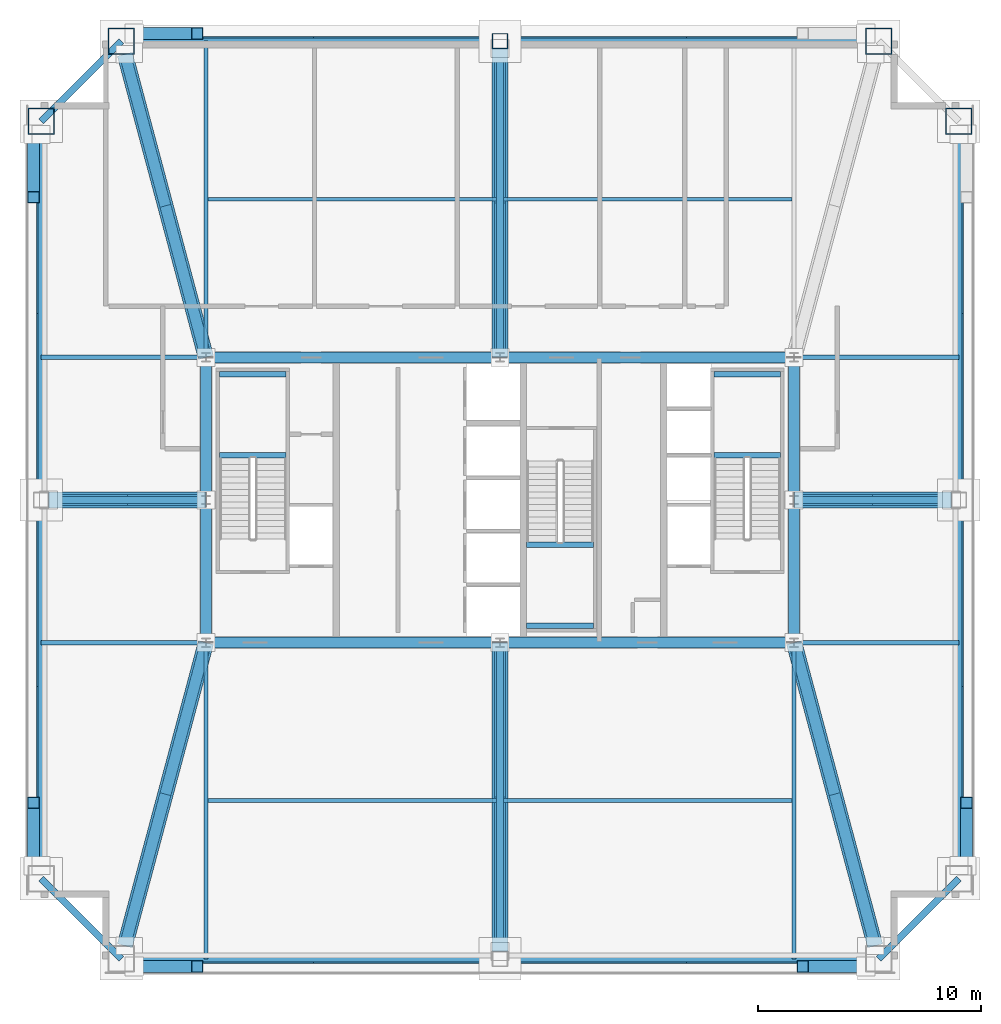
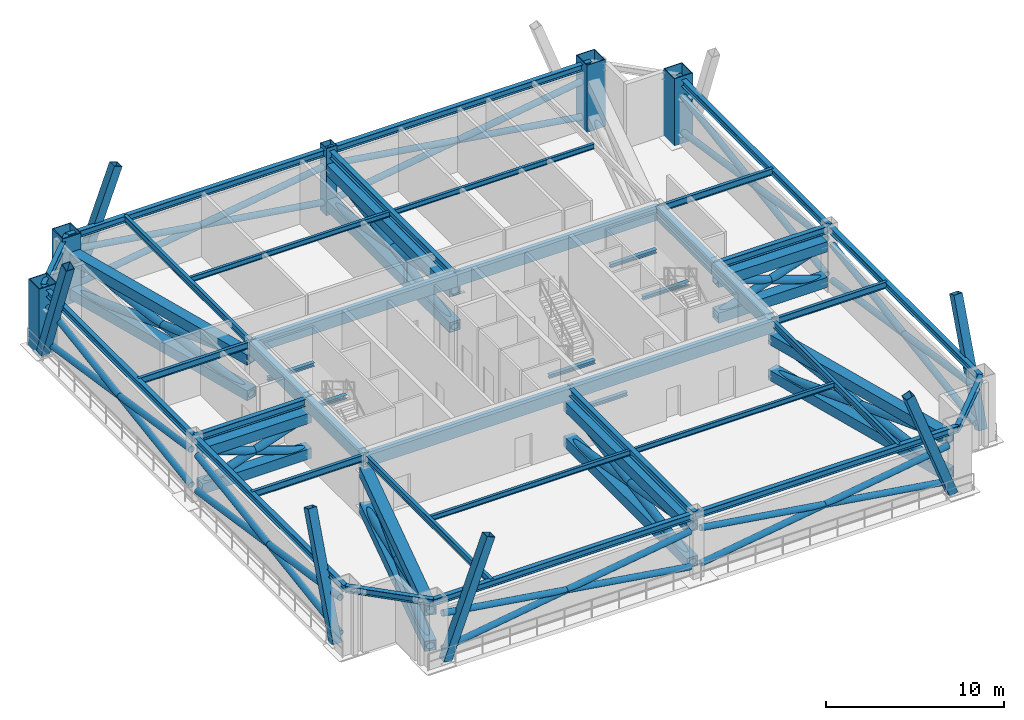
# One storey, part 2 of 9: 50 members, 40 beams, 5 columns.
"""IFC4 building model written with IfcOpenShell, lengths in metres."""

import ifcopenshell
import ifcopenshell.guid

model = None  # the IFC model being written
_history = None  # IfcOwnerHistory: only IFC2X3 demands one
_inside = {}  # id of a spatial element -> (the spatial element, [elements in it])
_under = {}  # id of a project, library or spatial element -> (it, [spatial elements below it])
_declared = {}  # id of a project -> (the project, [libraries it declares])
_typed = {}  # id of a type object -> (the type object, [elements of that type])
_made_of = {}  # id of a material, layer set ... -> (it, [elements and type objects made of it])


def new_model(schema):
    """Start an empty IFC model of exactly this schema.

    Asked for "IFC4X3", IfcOpenShell would pick the latest addendum, in which some entities
    have other attributes; the version numbers below select the first issue.
    IFC2X3 requires an IfcOwnerHistory on every rooted entity: one is made here for all.
    """
    global model, _history
    if schema == "IFC4X3":
        model = ifcopenshell.file(schema_version=(4, 3, 0, 0))
    else:
        model = ifcopenshell.file(schema=schema)
    _inside.clear()
    _under.clear()
    _declared.clear()
    _typed.clear()
    _made_of.clear()
    _history = None
    if model.schema == "IFC2X3":
        org = make("IfcOrganization", Name="unknown")
        user = make(
            "IfcPersonAndOrganization",
            ThePerson=make("IfcPerson", FamilyName="unknown"),
            TheOrganization=org,
        )
        app = make(
            "IfcApplication",
            ApplicationDeveloper=org,
            Version="unknown",
            ApplicationFullName="unknown",
            ApplicationIdentifier="unknown",
        )
        _history = make(
            "IfcOwnerHistory",
            OwningUser=user,
            OwningApplication=app,
            ChangeAction="ADDED",
            CreationDate=0,
        )
    return model


def make(cls, **values):
    """One entity of the class cls with the attributes given. An attribute that is None is left unset."""
    return model.create_entity(
        cls, **{name: value for name, value in values.items() if value is not None}
    )


def rooted(cls, **values):
    """An entity with a GlobalId (a new one), such as an element, a storey or a relation."""
    return make(cls, GlobalId=ifcopenshell.guid.new(), OwnerHistory=_history, **values)


def si_unit(unit_type, name, prefix=None):
    """IfcSIUnit, for example si_unit("LENGTHUNIT", "METRE", prefix="MILLI")."""
    return make("IfcSIUnit", UnitType=unit_type, Prefix=prefix, Name=name)


def assignment(units):
    """IfcUnitAssignment: the units of a project."""
    return None if units is None else make("IfcUnitAssignment", Units=units)


def point(xyz):
    """IfcCartesianPoint."""
    return None if xyz is None else make("IfcCartesianPoint", Coordinates=xyz)


def direction(xyz):
    """IfcDirection."""
    return None if xyz is None else make("IfcDirection", DirectionRatios=xyz)


def frame(location, z_axis=None, x_axis=None):
    """IfcAxis2Placement3D, a coordinate frame: its origin and axes. An axis left out is left unset."""
    return make(
        "IfcAxis2Placement3D",
        Location=point(location),
        Axis=direction(z_axis),
        RefDirection=direction(x_axis),
    )


def frame_2d(location, x_axis=None):
    """IfcAxis2Placement2D, a coordinate frame in the plane: its origin and x axis."""
    return make(
        "IfcAxis2Placement2D", Location=point(location), RefDirection=direction(x_axis)
    )


def origin():
    """The frame at (0, 0, 0) with its axes left unset."""
    return frame((0.0, 0.0, 0.0))


def origin_2d():
    """The frame at (0, 0) in the plane with its x axis left unset."""
    return frame_2d((0.0, 0.0))


def place(relative_to, where):
    """IfcLocalPlacement: puts the frame where relative to a parent placement (None: the world)."""
    return make(
        "IfcLocalPlacement", PlacementRelTo=relative_to, RelativePlacement=where
    )


def context(
    kind, dimensions, precision=None, world=None, true_north=None, identifier=None
):
    """IfcGeometricRepresentationContext, for example the 3D "Model" context."""
    return make(
        "IfcGeometricRepresentationContext",
        ContextIdentifier=identifier,
        ContextType=kind,
        CoordinateSpaceDimension=dimensions,
        Precision=precision,
        WorldCoordinateSystem=world,
        TrueNorth=true_north,
    )


def subcontext(parent, identifier, kind, view, scale=None):
    """IfcGeometricRepresentationSubContext, for example "Body" below "Model"."""
    return make(
        "IfcGeometricRepresentationSubContext",
        ContextIdentifier=identifier,
        ContextType=kind,
        ParentContext=parent,
        TargetScale=scale,
        TargetView=view,
    )


def project(units=None, contexts=None):
    """IfcProject with its units and contexts."""
    return rooted(
        "IfcProject",
        Name="project",
        RepresentationContexts=contexts,
        UnitsInContext=assignment(units),
    )


def spatial(cls, under=None, at=None, **own):
    """A site, building, storey or space (cls), placed at a placement, below another one or the project."""
    s = rooted(cls, ObjectPlacement=at, **own)
    if under is not None:
        _under.setdefault(under.id(), (under, []))[1].append(s)
    return s


def profile(cls, at=None, kind="AREA", **sizes):
    """A parametric profile (cls). Its sizes go by their IFC names, for example OverallWidth=200.0."""
    return make(cls, ProfileType=kind, Position=at, **sizes)


def rectangle(**sizes):
    """IfcRectangleProfileDef."""
    return profile("IfcRectangleProfileDef", **sizes)


def hollow_rectangle(**sizes):
    """IfcRectangleHollowProfileDef."""
    return profile("IfcRectangleHollowProfileDef", **sizes)


def hollow_circle(**sizes):
    """IfcCircleHollowProfileDef."""
    return profile("IfcCircleHollowProfileDef", **sizes)


def i_section(**sizes):
    """IfcIShapeProfileDef."""
    return profile("IfcIShapeProfileDef", **sizes)


def extrude(swept, where, along, depth):
    """IfcExtrudedAreaSolid: the profile swept, set in the frame where, extruded along a direction by depth."""
    return make(
        "IfcExtrudedAreaSolid",
        SweptArea=swept,
        Position=where,
        ExtrudedDirection=direction(along),
        Depth=depth,
    )


def shape(context_of_items, identifier, shape_type, items):
    """IfcShapeRepresentation: the items that make up one representation, for example the "Body"."""
    return make(
        "IfcShapeRepresentation",
        ContextOfItems=context_of_items,
        RepresentationIdentifier=identifier,
        RepresentationType=shape_type,
        Items=items,
    )


def source(mapping_origin, context_of_items, identifier, shape_type, items):
    """IfcRepresentationMap: a shape defined once, which mapped items show again and again."""
    return make(
        "IfcRepresentationMap",
        MappingOrigin=mapping_origin,
        MappedRepresentation=shape(context_of_items, identifier, shape_type, items),
    )


def transform(
    local_origin,
    x_axis=None,
    y_axis=None,
    z_axis=None,
    scale=None,
    scale2=None,
    scale3=None,
    uniform=True,
):
    """IfcCartesianTransformationOperator3D, or its non-uniform kind. x_axis, y_axis, z_axis: its Axis1, 2, 3."""
    if uniform:
        return make(
            "IfcCartesianTransformationOperator3D",
            Axis1=direction(x_axis),
            Axis2=direction(y_axis),
            LocalOrigin=point(local_origin),
            Scale=scale,
            Axis3=direction(z_axis),
        )
    return make(
        "IfcCartesianTransformationOperator3DnonUniform",
        Axis1=direction(x_axis),
        Axis2=direction(y_axis),
        LocalOrigin=point(local_origin),
        Scale=scale,
        Axis3=direction(z_axis),
        Scale2=scale2,
        Scale3=scale3,
    )


def mapped(mapping_source, mapping_target):
    """IfcMappedItem: shows the shape of a source again, moved by a transform."""
    return make(
        "IfcMappedItem", MappingSource=mapping_source, MappingTarget=mapping_target
    )


def material(Name=None, Category=None):
    """IfcMaterial."""
    return make("IfcMaterial", Name=Name, Category=Category)


def material_profile(
    of_material, cross_section, Name=None, Category=None, Priority=None
):
    """IfcMaterialProfile: a cross section and its material."""
    return make(
        "IfcMaterialProfile",
        Name=Name,
        Material=of_material,
        Profile=cross_section,
        Priority=Priority,
        Category=Category,
    )


def profile_set(profiles, Name=None, composite=None):
    """IfcMaterialProfileSet."""
    return make(
        "IfcMaterialProfileSet",
        Name=Name,
        MaterialProfiles=profiles,
        CompositeProfile=composite,
    )


def made_of(thing, what):
    """Note that an element or type object is made of a material, layer set ...; save() writes the relation."""
    if what is not None:
        _made_of.setdefault(what.id(), (what, []))[1].append(thing)
    return thing


def type_object(cls, material=None, **own):
    """A type object (cls), such as IfcWallType, which elements share."""
    return made_of(rooted(cls, **own), material)


def element(
    cls,
    number,
    at=None,
    inside=None,
    cuts=None,
    type_object=None,
    material=None,
    context=None,
    identifier="Body",
    shape_type=None,
    held_by="IfcProductDefinitionShape",
    body=None,
    shapes=None,
    **own,
):
    """One element of the class cls, such as IfcWall. Its Tag is "e" and its number.

    at: its placement. inside: the storey or other place that contains it. cuts: it is an
    opening in that element (IfcRelVoidsElement). A single representation is given by context,
    identifier, shape_type and body (its items); several are given by shapes. held_by: the class
    of the entity that holds the representations. save() writes the other relations.
    """
    e = rooted(cls, Tag="e%d" % number, ObjectPlacement=at, **own)
    if body is not None:
        shapes = [shape(context, identifier, shape_type, body)]
    if shapes is not None:
        e.Representation = make(held_by, Representations=shapes)
    if inside is not None:
        _inside.setdefault(inside.id(), (inside, []))[1].append(e)
    if cuts is not None:
        rooted(
            "IfcRelVoidsElement", RelatingBuildingElement=cuts, RelatedOpeningElement=e
        )
    if type_object is not None:
        _typed.setdefault(type_object.id(), (type_object, []))[1].append(e)
    return made_of(e, material)


def aggregate(whole, parts):
    """IfcRelAggregates: a whole, such as a stair, and the parts it consists of."""
    return rooted("IfcRelAggregates", RelatingObject=whole, RelatedObjects=parts)


def save(model, path):
    """Write the relations noted so far, then the file.

    IfcRelAggregates (storeys below a building ...), IfcRelContainedInSpatialStructure (elements
    in a storey), IfcRelDefinesByType, IfcRelAssociatesMaterial and IfcRelDeclares: one each for
    every whole, place, type object, material and project.
    """
    for whole, parts in _under.values():
        aggregate(whole, parts)
    for where, things in _inside.values():
        rooted(
            "IfcRelContainedInSpatialStructure",
            RelatedElements=things,
            RelatingStructure=where,
        )
    for kind, things in _typed.values():
        rooted("IfcRelDefinesByType", RelatedObjects=things, RelatingType=kind)
    for what, things in _made_of.values():
        rooted("IfcRelAssociatesMaterial", RelatedObjects=things, RelatingMaterial=what)
    for by, libraries in _declared.values():
        rooted("IfcRelDeclares", RelatingContext=by, RelatedDefinitions=libraries)
    model.write(path)


model = new_model("IFC4")

# Units and contexts
model_context = context("Model", 3, precision=1e-05, world=origin(), true_north=direction((0.0, 1.0)))
body_context = subcontext(model_context, "Body", "Model", "MODEL_VIEW")
ifc_project = project(units=[si_unit("LENGTHUNIT", "METRE"), si_unit("AREAUNIT", "SQUARE_METRE"), si_unit("VOLUMEUNIT", "CUBIC_METRE"), si_unit("PLANEANGLEUNIT", "RADIAN"), si_unit("MASSUNIT", "GRAM", prefix="KILO"), si_unit("THERMODYNAMICTEMPERATUREUNIT", "KELVIN"), si_unit("POWERUNIT", "WATT")], contexts=[model_context])

# Site, building, storey
site_placement = place(None, origin())
site = spatial("IfcSite", under=ifc_project, at=site_placement, CompositionType="ELEMENT")
building_placement = place(site_placement, origin())
building = spatial("IfcBuilding", under=site, at=building_placement, Name="Yuzanri Waterfront Tower", CompositionType="ELEMENT")
storey_placement = place(building_placement, frame((0.0, 0.0, 219.5)))
storey = spatial("IfcBuildingStorey", under=building, at=storey_placement, Name="L58", CompositionType="ELEMENT", Elevation=219.5)

# Columns
ifc_material_1 = material(Name="Steel Q390GJC", Category="steel")
ifc_material_profile_1 = material_profile(ifc_material_1, hollow_rectangle(XDim=1.199951171875, YDim=1.199951171875, WallThickness=0.054931640625, at=origin_2d()), Name="RHS 1200x1200x55")
ifc_profile_set_1 = profile_set([ifc_material_profile_1], Name="Steel Q390GJC")
column_type_1 = type_object("IfcColumnType", Name="Mega Column Q390GJC RHS 1200x1200x55", PredefinedType="COLUMN", material=ifc_profile_set_1)
shared_shape_1 = source(origin(), body_context, "Body", "SweptSolid", [
    extrude(hollow_rectangle(XDim=1.199951171875, YDim=1.199951171875, WallThickness=0.054931640625, at=origin_2d()), origin(), (0.0, 0.0, 1.0), 4.60009765625),
])
for number, where, z_axis, x_axis, name in (
    (1, (20.0, 46.39990234375, 0.0), (0.0, 0.0, 1.0), (1.0, 0.0, 0.0), "L58 Perimeter Mega Column N1"),
    (2, (54.0, 46.39990234375, 0.0), (0.0, 0.0, 1.0), (1.0, 0.0, 0.0), "L58 Perimeter Mega Column N3"),
    (3, (16.39990234375, 42.800048828125, 0.0), (0.0, 0.0, 1.0), (1.0, 0.0, 0.0), "L58 Perimeter Mega Column W3"),
    (4, (57.60009765625, 42.800048828125, 0.0), (0.0, 0.0, 1.0), (1.0, 0.0, 0.0), "L58 Perimeter Mega Column E3"),
):
    element("IfcColumn", number, at=place(storey_placement, frame(where, z_axis=z_axis, x_axis=x_axis)), inside=storey, type_object=column_type_1, Name=name, PredefinedType="COLUMN", context=body_context, shape_type="MappedRepresentation", body=[
        mapped(shared_shape_1, transform((0.0, 0.0, 0.0), scale=1.0)),
    ])
ifc_material_2 = material(Name="Steel Q355B", Category="steel")
ifc_material_profile_2 = material_profile(ifc_material_2, hollow_rectangle(XDim=0.699951171875, YDim=0.699951171875, WallThickness=0.031982421875, at=origin_2d()), Name="RHS 700x700x32")
ifc_profile_set_2 = profile_set([ifc_material_profile_2], Name="Steel Q355B")
column_type_2 = type_object("IfcColumnType", Name="Frame Column Q355B RHS 700x700x32", PredefinedType="COLUMN", material=ifc_profile_set_2)
shared_shape_2 = source(origin(), body_context, "Body", "SweptSolid", [
    extrude(hollow_rectangle(XDim=0.699951171875, YDim=0.699951171875, WallThickness=0.031982421875, at=origin_2d()), origin(), (0.0, 0.0, 1.0), 4.60009765625),
])
column_placement = place(storey_placement, frame((37.0, 46.39990234375, 0.0), z_axis=(0.0, 0.0, 1.0), x_axis=(1.0, 0.0, 0.0)))
element("IfcColumn", 5, at=column_placement, inside=storey, type_object=column_type_2, Name="L58 Perimeter Frame Column N2", PredefinedType="COLUMN", context=body_context, shape_type="MappedRepresentation", body=[
    mapped(shared_shape_2, transform((0.0, 0.0, 0.0), scale=1.0)),
])

# Beams
ifc_material_3 = material(Name="Steel Q355B", Category="steel")
ifc_material_profile_3 = material_profile(ifc_material_3, i_section(OverallWidth=0.300048828125, OverallDepth=0.43994140625, WebThickness=0.010986328125, FlangeThickness=0.01806640625, at=origin_2d()), Name="HM 440x300x11x18")
ifc_profile_set_3 = profile_set([ifc_material_profile_3], Name="Steel Q355B")
beam_type_1 = type_object("IfcBeamType", Name="Perimeter Spandrel Q355B HM 440x300", PredefinedType="SPANDREL", material=ifc_profile_set_3)
shared_shape_3 = source(origin(), body_context, "Body", "SweptSolid", [
    extrude(i_section(OverallWidth=0.300048828125, OverallDepth=0.43994140625, WebThickness=0.010986328125, FlangeThickness=0.01806640625, at=origin_2d()), origin(), (0.0, 0.0, 1.0), 5.09130859375),
])
for number, where, z_axis, x_axis, name in (
    (6, (54.0, 5.199951171875, 4.159912109375), (0.707106781187, 0.707106781187, 0.0), (-0.707106781187, 0.707106781187, 0.0), "L58 Perimeter Spandrel S3-E1"),
    (7, (16.39990234375, 8.800048828125, 4.159912109375), (0.707106781187, -0.707106781187, 0.0), (0.707106781187, 0.707106781187, 0.0), "L58 Perimeter Spandrel W1-S1"),
):
    element("IfcBeam", number, at=place(storey_placement, frame(where, z_axis=z_axis, x_axis=x_axis)), inside=storey, type_object=beam_type_1, Name=name, PredefinedType="SPANDREL", context=body_context, shape_type="MappedRepresentation", body=[
        mapped(shared_shape_3, transform((0.0, 0.0, 0.0), scale=1.0)),
    ])
shared_shape_4 = source(origin(), body_context, "Body", "SweptSolid", [
    extrude(i_section(OverallWidth=0.300048828125, OverallDepth=0.43994140625, WebThickness=0.010986328125, FlangeThickness=0.01806640625, at=origin_2d()), origin(), (0.0, 0.0, 1.0), 5.091064453125),
])
beam_placement = place(storey_placement, frame((20.0, 46.39990234375, 4.159912109375), z_axis=(-0.707130757816, -0.707082803744, 0.0), x_axis=(0.707082803744, -0.707130757816, 0.0)))
element("IfcBeam", 8, at=beam_placement, inside=storey, type_object=beam_type_1, Name="L58 Perimeter Spandrel N1-W3", PredefinedType="SPANDREL", context=body_context, shape_type="MappedRepresentation", body=[
    mapped(shared_shape_4, transform((0.0, 0.0, 0.0), scale=1.0)),
])
ifc_material_4 = material(Name="Concrete C50", Category="concrete")
ifc_material_profile_4 = material_profile(ifc_material_4, rectangle(XDim=0.5, YDim=0.800048828125, at=origin_2d()), Name="RC 500x800")
ifc_profile_set_4 = profile_set([ifc_material_profile_4], Name="Concrete C50")
beam_type_2 = type_object("IfcBeamType", Name="Core Coupling Lintel Concrete C50 500x800", PredefinedType="LINTEL", material=ifc_profile_set_4)
shared_shape_5 = source(origin(), body_context, "Body", "SweptSolid", [
    extrude(rectangle(XDim=0.5, YDim=0.800048828125, at=origin_2d()), origin(), (0.0, 0.0, 1.0), 13.199951171875),
])
for number, where, z_axis, x_axis, name in (
    (9, (23.800048828125, 19.39990234375, 3.97998046875), (1.0, 0.0, 0.0), (0.0, 1.0, 0.0), "L58 Core Tie Beam CS1"),
    (10, (37.0, 19.39990234375, 3.97998046875), (1.0, 0.0, 0.0), (0.0, 1.0, 0.0), "L58 Core Tie Beam CS2"),
    (11, (23.800048828125, 32.199951171875, 3.97998046875), (1.0, 0.0, 0.0), (0.0, 1.0, 0.0), "L58 Core Tie Beam CN1"),
    (12, (37.0, 32.199951171875, 3.97998046875), (1.0, 0.0, 0.0), (0.0, 1.0, 0.0), "L58 Core Tie Beam CN2"),
):
    element("IfcBeam", number, at=place(storey_placement, frame(where, z_axis=z_axis, x_axis=x_axis)), inside=storey, type_object=beam_type_2, Name=name, PredefinedType="LINTEL", context=body_context, shape_type="MappedRepresentation", body=[
        mapped(shared_shape_5, transform((0.0, 0.0, 0.0), scale=1.0)),
    ])
shared_shape_6 = source(origin(), body_context, "Body", "SweptSolid", [
    extrude(rectangle(XDim=0.5, YDim=0.800048828125, at=origin_2d()), origin(), (0.0, 0.0, 1.0), 6.400146484375),
])
for number, where, z_axis, x_axis, name in (
    (13, (23.800048828125, 19.39990234375, 3.97998046875), (0.0, 1.0, 0.0), (-1.0, 0.0, 0.0), "L58 Core Tie Beam CW1"),
    (14, (50.199951171875, 19.39990234375, 3.97998046875), (0.0, 1.0, 0.0), (-1.0, 0.0, 0.0), "L58 Core Tie Beam CE1"),
):
    element("IfcBeam", number, at=place(storey_placement, frame(where, z_axis=z_axis, x_axis=x_axis)), inside=storey, type_object=beam_type_2, Name=name, PredefinedType="LINTEL", context=body_context, shape_type="MappedRepresentation", body=[
        mapped(shared_shape_6, transform((0.0, 0.0, 0.0), scale=1.0)),
    ])
shared_shape_7 = source(origin(), body_context, "Body", "SweptSolid", [
    extrude(rectangle(XDim=0.5, YDim=0.800048828125, at=origin_2d()), origin(), (0.0, 0.0, 1.0), 6.39990234375),
])
for number, where, z_axis, x_axis, name in (
    (15, (23.800048828125, 25.800048828125, 3.97998046875), (0.0, 1.0, 0.0), (-1.0, 0.0, 0.0), "L58 Core Tie Beam CW2"),
    (16, (50.199951171875, 25.800048828125, 3.97998046875), (0.0, 1.0, 0.0), (-1.0, 0.0, 0.0), "L58 Core Tie Beam CE2"),
):
    element("IfcBeam", number, at=place(storey_placement, frame(where, z_axis=z_axis, x_axis=x_axis)), inside=storey, type_object=beam_type_2, Name=name, PredefinedType="LINTEL", context=body_context, shape_type="MappedRepresentation", body=[
        mapped(shared_shape_7, transform((0.0, 0.0, 0.0), scale=1.0)),
    ])
shared_shape_8 = source(origin(), body_context, "Body", "SweptSolid", [
    extrude(i_section(OverallWidth=0.300048828125, OverallDepth=0.43994140625, WebThickness=0.010986328125, FlangeThickness=0.01806640625, at=origin_2d()), origin(), (0.0, 0.0, 1.0), 17.0),
])
for number, where, z_axis, x_axis, name in (
    (17, (20.0, 5.199951171875, 4.159912109375), (1.0, 0.0, 0.0), (0.0, 1.0, 0.0), "L58 Perimeter Spandrel S1-S2"),
    (18, (37.0, 5.199951171875, 4.159912109375), (1.0, 0.0, 0.0), (0.0, 1.0, 0.0), "L58 Perimeter Spandrel S2-S3"),
    (19, (57.60009765625, 8.800048828125, 4.159912109375), (0.0, 1.0, 0.0), (-1.0, 0.0, 0.0), "L58 Perimeter Spandrel E1-E2"),
    (20, (57.60009765625, 25.800048828125, 4.159912109375), (0.0, 1.0, 0.0), (-1.0, 0.0, 0.0), "L58 Perimeter Spandrel E2-E3"),
    (21, (54.0, 46.39990234375, 4.159912109375), (-1.0, 0.0, 0.0), (0.0, -1.0, 0.0), "L58 Perimeter Spandrel N3-N2"),
    (22, (37.0, 46.39990234375, 4.159912109375), (-1.0, 0.0, 0.0), (0.0, -1.0, 0.0), "L58 Perimeter Spandrel N2-N1"),
    (23, (16.39990234375, 42.800048828125, 4.159912109375), (0.0, -1.0, 0.0), (1.0, 0.0, 0.0), "L58 Perimeter Spandrel W3-W2"),
    (24, (16.39990234375, 25.800048828125, 4.159912109375), (0.0, -1.0, 0.0), (1.0, 0.0, 0.0), "L58 Perimeter Spandrel W2-W1"),
):
    element("IfcBeam", number, at=place(storey_placement, frame(where, z_axis=z_axis, x_axis=x_axis)), inside=storey, type_object=beam_type_1, Name=name, PredefinedType="SPANDREL", context=body_context, shape_type="MappedRepresentation", body=[
        mapped(shared_shape_8, transform((0.0, 0.0, 0.0), scale=1.0)),
    ])
ifc_material_5 = material(Name="Steel Q355B", Category="steel")
ifc_material_profile_5 = material_profile(ifc_material_5, i_section(OverallWidth=0.300048828125, OverallDepth=0.488037109375, WebThickness=0.010986328125, FlangeThickness=0.01806640625, at=origin_2d()), Name="HM 488x300x11x18")
ifc_profile_set_5 = profile_set([ifc_material_profile_5], Name="Steel Q355B")
beam_type_3 = type_object("IfcBeamType", Name="Primary Floor Girder Q355B HM 488x300", PredefinedType="BEAM", material=ifc_profile_set_5)
shared_shape_9 = source(origin(), body_context, "Body", "SweptSolid", [
    extrude(i_section(OverallWidth=0.300048828125, OverallDepth=0.488037109375, WebThickness=0.010986328125, FlangeThickness=0.01806640625, at=origin_2d()), origin(), (0.0, 0.0, 1.0), 14.199951171875),
])
for number, where, z_axis, x_axis, name in (
    (25, (37.0, 19.39990234375, 4.135986328125), (0.0, -1.0, 0.0), (1.0, 0.0, 0.0), "L58 South Grid Girder"),
    (26, (37.0, 32.199951171875, 4.135986328125), (0.0, 1.0, 0.0), (-1.0, 0.0, 0.0), "L58 North Grid Girder"),
):
    element("IfcBeam", number, at=place(storey_placement, frame(where, z_axis=z_axis, x_axis=x_axis)), inside=storey, type_object=beam_type_3, Name=name, PredefinedType="BEAM", context=body_context, shape_type="MappedRepresentation", body=[
        mapped(shared_shape_9, transform((0.0, 0.0, 0.0), scale=1.0)),
    ])
shared_shape_10 = source(origin(), body_context, "Body", "SweptSolid", [
    extrude(i_section(OverallWidth=0.300048828125, OverallDepth=0.488037109375, WebThickness=0.010986328125, FlangeThickness=0.01806640625, at=origin_2d()), origin(), (0.0, 0.0, 1.0), 7.400146484375),
])
for number, where, z_axis, x_axis, name in (
    (27, (23.800048828125, 25.800048828125, 4.135986328125), (-1.0, 0.0, 0.0), (0.0, -1.0, 0.0), "L58 West Grid Girder"),
    (28, (50.199951171875, 25.800048828125, 4.135986328125), (1.0, 0.0, 0.0), (0.0, 1.0, 0.0), "L58 East Grid Girder"),
):
    element("IfcBeam", number, at=place(storey_placement, frame(where, z_axis=z_axis, x_axis=x_axis)), inside=storey, type_object=beam_type_3, Name=name, PredefinedType="BEAM", context=body_context, shape_type="MappedRepresentation", body=[
        mapped(shared_shape_10, transform((0.0, 0.0, 0.0), scale=1.0)),
    ])
ifc_material_6 = material(Name="Steel Q355B", Category="steel")
ifc_material_profile_6 = material_profile(ifc_material_6, i_section(OverallWidth=0.199951171875, OverallDepth=0.449951171875, WebThickness=0.009033203125, FlangeThickness=0.013916015625, at=origin_2d()), Name="HN 450x200x9x14")
ifc_profile_set_6 = profile_set([ifc_material_profile_6], Name="Steel Q355B")
beam_type_4 = type_object("IfcBeamType", Name="Secondary Floor Beam Q355B HN 450x200", PredefinedType="BEAM", material=ifc_profile_set_6)
shared_shape_11 = source(origin(), body_context, "Body", "SweptSolid", [
    extrude(i_section(OverallWidth=0.199951171875, OverallDepth=0.449951171875, WebThickness=0.009033203125, FlangeThickness=0.013916015625, at=origin_2d()), origin(), (0.0, 0.0, 1.0), 14.199951171875),
])
for number, where, z_axis, x_axis, name in (
    (29, (23.800048828125, 19.39990234375, 4.155029296875), (0.0, -1.0, 0.0), (1.0, 0.0, 0.0), "L58 South-West Core Line Beam"),
    (30, (50.199951171875, 19.39990234375, 4.155029296875), (0.0, -1.0, 0.0), (1.0, 0.0, 0.0), "L58 South-East Core Line Beam"),
    (31, (23.800048828125, 32.199951171875, 4.155029296875), (0.0, 1.0, 0.0), (-1.0, 0.0, 0.0), "L58 North-West Core Line Beam"),
):
    element("IfcBeam", number, at=place(storey_placement, frame(where, z_axis=z_axis, x_axis=x_axis)), inside=storey, type_object=beam_type_4, Name=name, PredefinedType="BEAM", context=body_context, shape_type="MappedRepresentation", body=[
        mapped(shared_shape_11, transform((0.0, 0.0, 0.0), scale=1.0)),
    ])
shared_shape_12 = source(origin(), body_context, "Body", "SweptSolid", [
    extrude(i_section(OverallWidth=0.199951171875, OverallDepth=0.449951171875, WebThickness=0.009033203125, FlangeThickness=0.013916015625, at=origin_2d()), origin(), (0.0, 0.0, 1.0), 7.400146484375),
])
for number, where, z_axis, x_axis, name in (
    (32, (23.800048828125, 19.39990234375, 4.155029296875), (-1.0, 0.0, 0.0), (0.0, -1.0, 0.0), "L58 West-South Core Line Beam"),
    (33, (23.800048828125, 32.199951171875, 4.155029296875), (-1.0, 0.0, 0.0), (0.0, -1.0, 0.0), "L58 West-North Core Line Beam"),
    (34, (50.199951171875, 19.39990234375, 4.155029296875), (1.0, 0.0, 0.0), (0.0, 1.0, 0.0), "L58 East-South Core Line Beam"),
    (35, (50.199951171875, 32.199951171875, 4.155029296875), (1.0, 0.0, 0.0), (0.0, 1.0, 0.0), "L58 East-North Core Line Beam"),
):
    element("IfcBeam", number, at=place(storey_placement, frame(where, z_axis=z_axis, x_axis=x_axis)), inside=storey, type_object=beam_type_4, Name=name, PredefinedType="BEAM", context=body_context, shape_type="MappedRepresentation", body=[
        mapped(shared_shape_12, transform((0.0, 0.0, 0.0), scale=1.0)),
    ])
ifc_material_7 = material(Name="Steel Q355B", Category="steel")
ifc_material_profile_7 = material_profile(ifc_material_7, i_section(OverallWidth=0.175048828125, OverallDepth=0.35009765625, WebThickness=0.007080078125, FlangeThickness=0.010986328125, at=origin_2d()), Name="HN 350x175x7x11")
ifc_profile_set_7 = profile_set([ifc_material_profile_7], Name="Steel Q355B")
beam_type_5 = type_object("IfcBeamType", Name="Floor Joist Q355B HN 350x175", PredefinedType="JOIST", material=ifc_profile_set_7)
shared_shape_13 = source(origin(), body_context, "Body", "SweptSolid", [
    extrude(i_section(OverallWidth=0.175048828125, OverallDepth=0.35009765625, WebThickness=0.007080078125, FlangeThickness=0.010986328125, at=origin_2d()), origin(), (0.0, 0.0, 1.0), 12.9501953125),
])
for number, where, z_axis, x_axis, name in (
    (36, (23.89990234375, 12.300048828125, 4.205078125), (1.0, 0.0, 0.0), (0.0, 1.0, 0.0), "L58 South Bay Joist W"),
    (37, (37.14990234375, 12.300048828125, 4.205078125), (1.0, 0.0, 0.0), (0.0, 1.0, 0.0), "L58 South Bay Joist E"),
    (38, (23.89990234375, 39.300048828125, 4.205078125), (1.0, 0.0, 0.0), (0.0, 1.0, 0.0), "L58 North Bay Joist W"),
    (39, (37.14990234375, 39.300048828125, 4.205078125), (1.0, 0.0, 0.0), (0.0, 1.0, 0.0), "L58 North Bay Joist E"),
):
    element("IfcBeam", number, at=place(storey_placement, frame(where, z_axis=z_axis, x_axis=x_axis)), inside=storey, type_object=beam_type_5, Name=name, PredefinedType="JOIST", context=body_context, shape_type="MappedRepresentation", body=[
        mapped(shared_shape_13, transform((0.0, 0.0, 0.0), scale=1.0)),
    ])

# Members
ifc_material_8 = material(Name="Steel Q390GJC", Category="steel")
ifc_material_profile_8 = material_profile(ifc_material_8, hollow_rectangle(XDim=0.550048828125, YDim=0.550048828125, WallThickness=0.02490234375, at=origin_2d()), Name="RHS 550x550x25")
ifc_profile_set_8 = profile_set([ifc_material_profile_8], Name="Steel Q390GJC")
member_type_1 = type_object("IfcMemberType", Name="Mega Brace Mid Q390GJC RHS 550x550x25", PredefinedType="BRACE", material=ifc_profile_set_8)
shared_shape_14 = source(origin(), body_context, "Body", "SweptSolid", [
    extrude(hollow_rectangle(XDim=0.550048828125, YDim=0.550048828125, WallThickness=0.02490234375, at=origin_2d()), origin(), (0.0, 0.0, 1.0), 8.1064453125),
])
for number, where, z_axis, x_axis, name in (
    (40, (20.580078125, 4.860107421875, 0.179931640625), (0.347853792424, 0.0, 0.937548792915), (0.0, 1.0, 0.0), "L58-L59 Perimeter Mega-Brace S-L"),
    (41, (53.419921875, 4.860107421875, 0.179931640625), (-0.347853792424, 0.0, 0.937548792915), (0.0, -1.0, 0.0), "L58-L59 Perimeter Mega-Brace S-R"),
    (42, (20.580078125, 46.739990234375, 0.179931640625), (0.347853792424, 0.0, 0.937548792915), (0.0, 1.0, 0.0), "L58-L59 Perimeter Mega-Brace N-L"),
    (43, (16.06005859375, 9.3798828125, 0.179931640625), (0.0, 0.347880264969, 0.937538970521), (-1.0, 0.0, 0.0), "L58-L59 Perimeter Mega-Brace W-L"),
    (44, (16.06005859375, 42.219970703125, 0.179931640625), (0.0, -0.347880264969, 0.937538970521), (1.0, 0.0, 0.0), "L58-L59 Perimeter Mega-Brace W-R"),
    (45, (57.93994140625, 9.3798828125, 0.179931640625), (0.0, 0.347880264969, 0.937538970521), (-1.0, 0.0, 0.0), "L58-L59 Perimeter Mega-Brace E-L"),
):
    element("IfcMember", number, at=place(storey_placement, frame(where, z_axis=z_axis, x_axis=x_axis)), inside=storey, type_object=member_type_1, Name=name, PredefinedType="BRACE", context=body_context, shape_type="MappedRepresentation", body=[
        mapped(shared_shape_14, transform((0.0, 0.0, 0.0), scale=1.0)),
    ])
ifc_material_9 = material(Name="Steel Q420GJC", Category="steel")
ifc_material_profile_9 = material_profile(ifc_material_9, hollow_rectangle(XDim=0.699951171875, YDim=0.699951171875, WallThickness=0.031982421875, at=origin_2d()), Name="RHS 700x700x32")
ifc_profile_set_9 = profile_set([ifc_material_profile_9], Name="Steel Q420GJC")
member_type_2 = type_object("IfcMemberType", Name="Outrigger Chord Q420GJC RHS 700x700x32", PredefinedType="CHORD", material=ifc_profile_set_9)
shared_shape_15 = source(origin(), body_context, "Body", "SweptSolid", [
    extrude(hollow_rectangle(XDim=0.699951171875, YDim=0.699951171875, WallThickness=0.031982421875, at=origin_2d()), origin(), (0.0, 0.0, 1.0), 13.864990234375),
])
for number, where, z_axis, x_axis, name in (
    (46, (37.0, 19.39990234375, 0.719970703125), (0.0, -1.0, 0.0), (1.0, 0.0, 0.0), "L58 Outrigger Bottom Chord S2"),
    (47, (37.0, 19.39990234375, 3.159912109375), (0.0, -1.0, 0.0), (1.0, 0.0, 0.0), "L58 Outrigger Top Chord S2"),
    (48, (37.0, 32.199951171875, 0.719970703125), (0.0, 1.0, 0.0), (-1.0, 0.0, 0.0), "L58 Outrigger Bottom Chord N2"),
    (49, (37.0, 32.199951171875, 3.159912109375), (0.0, 1.0, 0.0), (-1.0, 0.0, 0.0), "L58 Outrigger Top Chord N2"),
):
    element("IfcMember", number, at=place(storey_placement, frame(where, z_axis=z_axis, x_axis=x_axis)), inside=storey, type_object=member_type_2, Name=name, PredefinedType="CHORD", context=body_context, shape_type="MappedRepresentation", body=[
        mapped(shared_shape_15, transform((0.0, 0.0, 0.0), scale=1.0)),
    ])
ifc_material_10 = material(Name="Steel Q420GJC", Category="steel")
ifc_material_profile_10 = material_profile(ifc_material_10, hollow_circle(Radius=0.25390625, WallThickness=0.02001953125, at=origin_2d()), Name="CHS 508x20")
ifc_profile_set_10 = profile_set([ifc_material_profile_10], Name="Steel Q420GJC")
member_type_3 = type_object("IfcMemberType", Name="Outrigger Diagonal Q420GJC CHS 508x20", PredefinedType="BRACE", material=ifc_profile_set_10)
shared_shape_16 = source(origin(), body_context, "Body", "SweptSolid", [
    extrude(hollow_circle(Radius=0.25390625, WallThickness=0.02001953125, at=origin_2d()), origin(), (0.0, 0.0, 1.0), 14.078125),
])
for number, where, z_axis, x_axis, name in (
    (50, (37.0, 19.39990234375, 0.719970703125), (0.0, -0.984866373783, 0.173315393981), (1.0, 0.0, 0.0), "L58 Outrigger Diagonal 1 S2"),
    (51, (37.0, 19.39990234375, 3.159912109375), (0.0, -0.984866373783, -0.173315393981), (1.0, 0.0, 0.0), "L58 Outrigger Diagonal 2 S2"),
    (52, (37.0, 32.199951171875, 0.719970703125), (0.0, 0.984866373783, 0.173315393981), (-1.0, 0.0, 0.0), "L58 Outrigger Diagonal 1 N2"),
    (53, (37.0, 32.199951171875, 3.159912109375), (0.0, 0.984866373783, -0.173315393981), (-1.0, 0.0, 0.0), "L58 Outrigger Diagonal 2 N2"),
):
    element("IfcMember", number, at=place(storey_placement, frame(where, z_axis=z_axis, x_axis=x_axis)), inside=storey, type_object=member_type_3, Name=name, PredefinedType="BRACE", context=body_context, shape_type="MappedRepresentation", body=[
        mapped(shared_shape_16, transform((0.0, 0.0, 0.0), scale=1.0)),
    ])
shared_shape_17 = source(origin(), body_context, "Body", "SweptSolid", [
    extrude(hollow_rectangle(XDim=0.699951171875, YDim=0.699951171875, WallThickness=0.031982421875, at=origin_2d()), origin(), (0.0, 0.0, 1.0), 7.06494140625),
])
for number, where, z_axis, x_axis, name in (
    (54, (23.800048828125, 25.800048828125, 0.719970703125), (-1.0, 0.0, 0.0), (0.0, -1.0, 0.0), "L58 Outrigger Bottom Chord W2"),
    (55, (23.800048828125, 25.800048828125, 3.159912109375), (-1.0, 0.0, 0.0), (0.0, -1.0, 0.0), "L58 Outrigger Top Chord W2"),
    (56, (50.199951171875, 25.800048828125, 0.719970703125), (1.0, 0.0, 0.0), (0.0, 1.0, 0.0), "L58 Outrigger Bottom Chord E2"),
    (57, (50.199951171875, 25.800048828125, 3.159912109375), (1.0, 0.0, 0.0), (0.0, 1.0, 0.0), "L58 Outrigger Top Chord E2"),
):
    element("IfcMember", number, at=place(storey_placement, frame(where, z_axis=z_axis, x_axis=x_axis)), inside=storey, type_object=member_type_2, Name=name, PredefinedType="CHORD", context=body_context, shape_type="MappedRepresentation", body=[
        mapped(shared_shape_17, transform((0.0, 0.0, 0.0), scale=1.0)),
    ])
shared_shape_18 = source(origin(), body_context, "Body", "SweptSolid", [
    extrude(hollow_circle(Radius=0.25390625, WallThickness=0.02001953125, at=origin_2d()), origin(), (0.0, 0.0, 1.0), 7.474365234375),
])
for number, where, z_axis, x_axis, name in (
    (58, (23.800048828125, 25.800048828125, 0.719970703125), (-0.945218061554, 0.0, 0.326439605611), (0.0, -1.0, 0.0), "L58 Outrigger Diagonal 1 W2"),
    (59, (23.800048828125, 25.800048828125, 3.159912109375), (-0.945218061554, 0.0, -0.326439605611), (0.0, -1.0, 0.0), "L58 Outrigger Diagonal 2 W2"),
    (60, (50.199951171875, 25.800048828125, 0.719970703125), (0.945218061554, 0.0, 0.326439605611), (0.0, 1.0, 0.0), "L58 Outrigger Diagonal 1 E2"),
    (61, (50.199951171875, 25.800048828125, 3.159912109375), (0.945218061554, 0.0, -0.326439605611), (0.0, 1.0, 0.0), "L58 Outrigger Diagonal 2 E2"),
):
    element("IfcMember", number, at=place(storey_placement, frame(where, z_axis=z_axis, x_axis=x_axis)), inside=storey, type_object=member_type_3, Name=name, PredefinedType="BRACE", context=body_context, shape_type="MappedRepresentation", body=[
        mapped(shared_shape_18, transform((0.0, 0.0, 0.0), scale=1.0)),
    ])
shared_shape_19 = source(origin(), body_context, "Body", "SweptSolid", [
    extrude(hollow_rectangle(XDim=0.699951171875, YDim=0.699951171875, WallThickness=0.031982421875, at=origin_2d()), origin(), (0.0, 0.0, 1.0), 14.093994140625),
])
for number, where, z_axis, x_axis, name in (
    (62, (23.800048828125, 19.39990234375, 0.719970703125), (-0.258516440728, -0.966006858088, 0.0), (0.966006858088, -0.258516440728, 0.0), "L58 Outrigger Bottom Chord S1"),
    (63, (23.800048828125, 19.39990234375, 3.159912109375), (-0.258516440728, -0.966006858088, 0.0), (0.966006858088, -0.258516440728, 0.0), "L58 Outrigger Top Chord S1"),
    (64, (50.199951171875, 19.39990234375, 0.719970703125), (0.258516440728, -0.966006858088, 0.0), (0.966006858088, 0.258516440728, 0.0), "L58 Outrigger Bottom Chord S3"),
    (65, (50.199951171875, 19.39990234375, 3.159912109375), (0.258516440728, -0.966006858088, 0.0), (0.966006858088, 0.258516440728, 0.0), "L58 Outrigger Top Chord S3"),
    (66, (23.800048828125, 32.199951171875, 0.719970703125), (-0.258516440728, 0.966006858088, 0.0), (-0.966006858088, -0.258516440728, 0.0), "L58 Outrigger Bottom Chord N1"),
    (67, (23.800048828125, 32.199951171875, 3.159912109375), (-0.258516440728, 0.966006858088, 0.0), (-0.966006858088, -0.258516440728, 0.0), "L58 Outrigger Top Chord N1"),
):
    element("IfcMember", number, at=place(storey_placement, frame(where, z_axis=z_axis, x_axis=x_axis)), inside=storey, type_object=member_type_2, Name=name, PredefinedType="CHORD", context=body_context, shape_type="MappedRepresentation", body=[
        mapped(shared_shape_19, transform((0.0, 0.0, 0.0), scale=1.0)),
    ])
shared_shape_20 = source(origin(), body_context, "Body", "SweptSolid", [
    extrude(hollow_circle(Radius=0.25390625, WallThickness=0.02001953125, at=origin_2d()), origin(), (0.0, 0.0, 1.0), 14.3037109375),
])
for number, where, z_axis, x_axis, name in (
    (68, (23.800048828125, 19.39990234375, 0.719970703125), (-0.254727546341, -0.951848772234, 0.170580749004), (0.966006858088, -0.258516440728, 0.0), "L58 Outrigger Diagonal 1 S1"),
    (69, (23.800048828125, 19.39990234375, 3.159912109375), (-0.254727546341, -0.951848772234, -0.170580749004), (0.966006858088, -0.258516440728, 0.0), "L58 Outrigger Diagonal 2 S1"),
    (70, (50.199951171875, 19.39990234375, 0.719970703125), (0.254727546341, -0.951848772234, 0.170580749004), (0.966006858088, 0.258516440728, 0.0), "L58 Outrigger Diagonal 1 S3"),
    (71, (50.199951171875, 19.39990234375, 3.159912109375), (0.254727546341, -0.951848772234, -0.170580749004), (0.966006858088, 0.258516440728, 0.0), "L58 Outrigger Diagonal 2 S3"),
    (72, (23.800048828125, 32.199951171875, 0.719970703125), (-0.254727546341, 0.951848772234, 0.170580749004), (-0.966006858088, -0.258516440728, 0.0), "L58 Outrigger Diagonal 1 N1"),
    (73, (23.800048828125, 32.199951171875, 3.159912109375), (-0.254727546341, 0.951848772234, -0.170580749004), (-0.966006858088, -0.258516440728, 0.0), "L58 Outrigger Diagonal 2 N1"),
):
    element("IfcMember", number, at=place(storey_placement, frame(where, z_axis=z_axis, x_axis=x_axis)), inside=storey, type_object=member_type_3, Name=name, PredefinedType="BRACE", context=body_context, shape_type="MappedRepresentation", body=[
        mapped(shared_shape_20, transform((0.0, 0.0, 0.0), scale=1.0)),
    ])
ifc_material_11 = material(Name="Steel Q390GJC", Category="steel")
ifc_material_profile_11 = material_profile(ifc_material_11, hollow_circle(Radius=0.202880859375, WallThickness=0.01611328125, at=origin_2d()), Name="CHS 406x16")
ifc_profile_set_11 = profile_set([ifc_material_profile_11], Name="Steel Q390GJC")
member_type_4 = type_object("IfcMemberType", Name="Belt Truss Strut Q390GJC CHS 406x16", PredefinedType="STRUT", material=ifc_profile_set_11)
shared_shape_21 = source(origin(), body_context, "Body", "SweptSolid", [
    extrude(hollow_circle(Radius=0.202880859375, WallThickness=0.01611328125, at=origin_2d()), origin(), (0.0, 0.0, 1.0), 16.26416015625),
])
for number, where, z_axis, x_axis, name in (
    (74, (20.5849609375, 5.199951171875, 0.719970703125), (0.988683006617, 0.0, 0.150019706792), (0.0, 1.0, 0.0), "L58 Belt Truss Diagonal S1-S2 A"),
    (75, (20.5849609375, 5.199951171875, 3.159912109375), (0.988683006617, 0.0, -0.150019706792), (0.0, 1.0, 0.0), "L58 Belt Truss Diagonal S1-S2 B"),
    (76, (37.3349609375, 5.199951171875, 0.719970703125), (0.988683006617, 0.0, 0.150019706792), (0.0, 1.0, 0.0), "L58 Belt Truss Diagonal S2-S3 A"),
    (77, (37.3349609375, 5.199951171875, 3.159912109375), (0.988683006617, 0.0, -0.150019706792), (0.0, 1.0, 0.0), "L58 Belt Truss Diagonal S2-S3 B"),
    (78, (20.5849609375, 46.39990234375, 0.719970703125), (0.988683006617, 0.0, 0.150019706792), (0.0, 1.0, 0.0), "L58 Belt Truss Diagonal N1-N2 A"),
    (79, (20.5849609375, 46.39990234375, 3.159912109375), (0.988683006617, 0.0, -0.150019706792), (0.0, 1.0, 0.0), "L58 Belt Truss Diagonal N1-N2 B"),
    (80, (37.3349609375, 46.39990234375, 0.719970703125), (0.988683006617, 0.0, 0.150019706792), (0.0, 1.0, 0.0), "L58 Belt Truss Diagonal N2-N3 A"),
    (81, (37.3349609375, 46.39990234375, 3.159912109375), (0.988683006617, 0.0, -0.150019706792), (0.0, 1.0, 0.0), "L58 Belt Truss Diagonal N2-N3 B"),
    (82, (16.39990234375, 9.385009765625, 0.719970703125), (0.0, 0.988683006617, 0.150019706792), (-1.0, 0.0, 0.0), "L58 Belt Truss Diagonal W1-W2 A"),
    (83, (16.39990234375, 9.385009765625, 3.159912109375), (0.0, 0.988683006617, -0.150019706792), (-1.0, 0.0, 0.0), "L58 Belt Truss Diagonal W1-W2 B"),
    (84, (16.39990234375, 26.135009765625, 0.719970703125), (0.0, 0.988683006617, 0.150019706792), (-1.0, 0.0, 0.0), "L58 Belt Truss Diagonal W2-W3 A"),
    (85, (16.39990234375, 26.135009765625, 3.159912109375), (0.0, 0.988683006617, -0.150019706792), (-1.0, 0.0, 0.0), "L58 Belt Truss Diagonal W2-W3 B"),
    (86, (57.60009765625, 9.385009765625, 0.719970703125), (0.0, 0.988683006617, 0.150019706792), (-1.0, 0.0, 0.0), "L58 Belt Truss Diagonal E1-E2 A"),
    (87, (57.60009765625, 9.385009765625, 3.159912109375), (0.0, 0.988683006617, -0.150019706792), (-1.0, 0.0, 0.0), "L58 Belt Truss Diagonal E1-E2 B"),
    (88, (57.60009765625, 26.135009765625, 0.719970703125), (0.0, 0.988683006617, 0.150019706792), (-1.0, 0.0, 0.0), "L58 Belt Truss Diagonal E2-E3 A"),
    (89, (57.60009765625, 26.135009765625, 3.159912109375), (0.0, 0.988683006617, -0.150019706792), (-1.0, 0.0, 0.0), "L58 Belt Truss Diagonal E2-E3 B"),
):
    element("IfcMember", number, at=place(storey_placement, frame(where, z_axis=z_axis, x_axis=x_axis)), inside=storey, type_object=member_type_4, Name=name, PredefinedType="STRUT", context=body_context, shape_type="MappedRepresentation", body=[
        mapped(shared_shape_21, transform((0.0, 0.0, 0.0), scale=1.0)),
    ])

# Beams
ifc_material_12 = material(Name="Steel Q355B", Category="steel")
ifc_material_profile_12 = material_profile(ifc_material_12, i_section(OverallWidth=0.25, OverallDepth=0.25, WebThickness=0.009033203125, FlangeThickness=0.013916015625, at=origin_2d()), Name="HW 250x250x9x14")
ifc_profile_set_12 = profile_set([ifc_material_profile_12], Name="Steel Q355B")
beam_type_6 = type_object("IfcBeamType", Name="Stair Landing Support Beam Q355B HW 250x250", PredefinedType="BEAM", material=ifc_profile_set_12)
shared_shape_22 = source(origin(), body_context, "Body", "SweptSolid", [
    extrude(i_section(OverallWidth=0.25, OverallDepth=0.25, WebThickness=0.009033203125, FlangeThickness=0.013916015625, at=origin_2d()), origin(), (0.0, 0.0, 1.0), 3.0),
])
for number, where, z_axis, x_axis, name in (
    (90, (24.39990234375, 27.81005859375, 1.97509765625), (1.0, 0.0, 0.0), (0.0, 1.0, 0.0), "L58 Stair Landing Support Beam ST-01-L58-L1-1"),
    (91, (24.39990234375, 31.449951171875, 1.97509765625), (1.0, 0.0, 0.0), (0.0, 1.0, 0.0), "L58 Stair Landing Support Beam ST-01-L58-L1-2"),
    (92, (46.60009765625, 27.81005859375, 1.97509765625), (1.0, 0.0, 0.0), (0.0, 1.0, 0.0), "L58 Stair Landing Support Beam ST-02-L58-L1-1"),
    (93, (46.60009765625, 31.449951171875, 1.97509765625), (1.0, 0.0, 0.0), (0.0, 1.0, 0.0), "L58 Stair Landing Support Beam ST-02-L58-L1-2"),
    (94, (38.199951171875, 20.14990234375, 1.97509765625), (1.0, 0.0, 0.0), (0.0, 1.0, 0.0), "L58 Stair Landing Support Beam ST-03-L58-L1-1"),
    (95, (38.199951171875, 23.7900390625, 1.97509765625), (1.0, 0.0, 0.0), (0.0, 1.0, 0.0), "L58 Stair Landing Support Beam ST-03-L58-L1-2"),
):
    element("IfcBeam", number, at=place(storey_placement, frame(where, z_axis=z_axis, x_axis=x_axis)), inside=storey, type_object=beam_type_6, Name=name, PredefinedType="BEAM", context=body_context, shape_type="MappedRepresentation", body=[
        mapped(shared_shape_22, transform((0.0, 0.0, 0.0), scale=1.0)),
    ])

save(model, "model.ifc")
